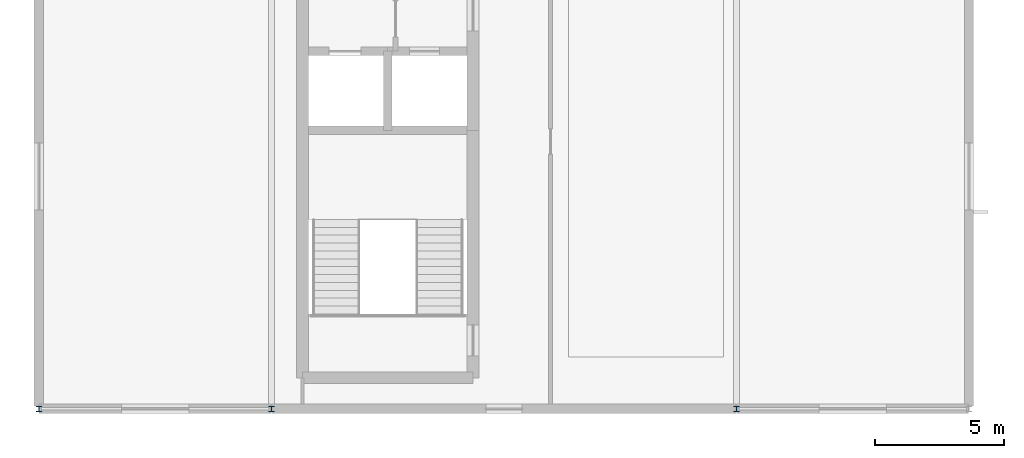
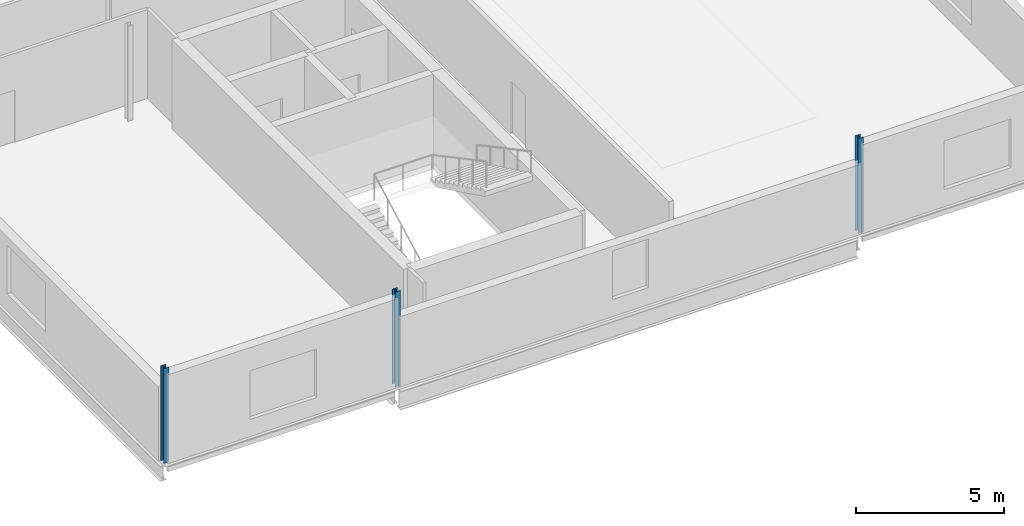
# One storey, part 1 of 35: 3 columns.
"""IFC4 building model written with IfcOpenShell, lengths in metres."""

from ifc_helpers import new_model, si_unit, direction, frame, origin, origin_2d, place, context, subcontext, project, spatial, i_section, extrude, material, material_profile, profile_set, type_object, element, save


model = new_model("IFC4")

# Units and contexts
model_context = context("Model", 3, precision=1e-05, world=origin(), true_north=direction((0.0, 1.0)))
body_context = subcontext(model_context, "Body", "Model", "MODEL_VIEW")
ifc_project = project(units=[si_unit("LENGTHUNIT", "METRE"), si_unit("AREAUNIT", "SQUARE_METRE"), si_unit("VOLUMEUNIT", "CUBIC_METRE"), si_unit("PLANEANGLEUNIT", "RADIAN"), si_unit("MASSUNIT", "GRAM", prefix="KILO")], contexts=[model_context])

# Site, building, storey
site_placement = place(None, origin())
site = spatial("IfcSite", under=ifc_project, at=site_placement, CompositionType="ELEMENT")
building_placement = place(site_placement, origin())
building = spatial("IfcBuilding", under=site, at=building_placement, Name="Kisiwana Market Hall", CompositionType="ELEMENT")
storey_placement = place(building_placement, frame((0.0, 0.0, 61.800048828125)))
storey = spatial("IfcBuildingStorey", under=building, at=storey_placement, Name="L14", CompositionType="ELEMENT", Elevation=61.800048828125)

# Columns
ifc_material = material(Name="Steel S355", Category="steel")
ifc_material_profile = material_profile(ifc_material, i_section(OverallWidth=0.205810546875, OverallDepth=0.209716796875, WebThickness=0.009521484375, FlangeThickness=0.01416015625, FilletRadius=0.01025390625, at=origin_2d()), Name="UC 203x203x60")
ifc_profile_set = profile_set([ifc_material_profile], Name="Steel S355")
column_type = type_object("IfcColumnType", Name="COL-STL-UC060", PredefinedType="COLUMN", material=ifc_profile_set)
for number, where, z_axis, x_axis, name in (
    (1, (0.0, 18.0, 0.0), (0.0, 0.0, 1.0), (1.0, 0.0, 0.0), "Column C/1 (L14) C-1442"),
    (2, (9.0, 18.0, 0.0), (0.0, 0.0, 1.0), (1.0, 0.0, 0.0), "Column C/2 (L14) C-1447"),
    (3, (27.0, 18.0, 0.0), (0.0, 0.0, 1.0), (1.0, 0.0, 0.0), "Column C/4 (L14) C-1451"),
):
    element("IfcColumn", number, at=place(storey_placement, frame(where, z_axis=z_axis, x_axis=x_axis)), inside=storey, type_object=column_type, Name=name, PredefinedType="COLUMN", context=body_context, shape_type="SweptSolid", body=[
        extrude(i_section(OverallWidth=0.205810546875, OverallDepth=0.209716796875, WebThickness=0.009521484375, FlangeThickness=0.01416015625, FilletRadius=0.01025390625, at=origin_2d()), origin(), (0.0, 0.0, 1.0), 3.89990234375),
    ])

save(model, "model.ifc")
